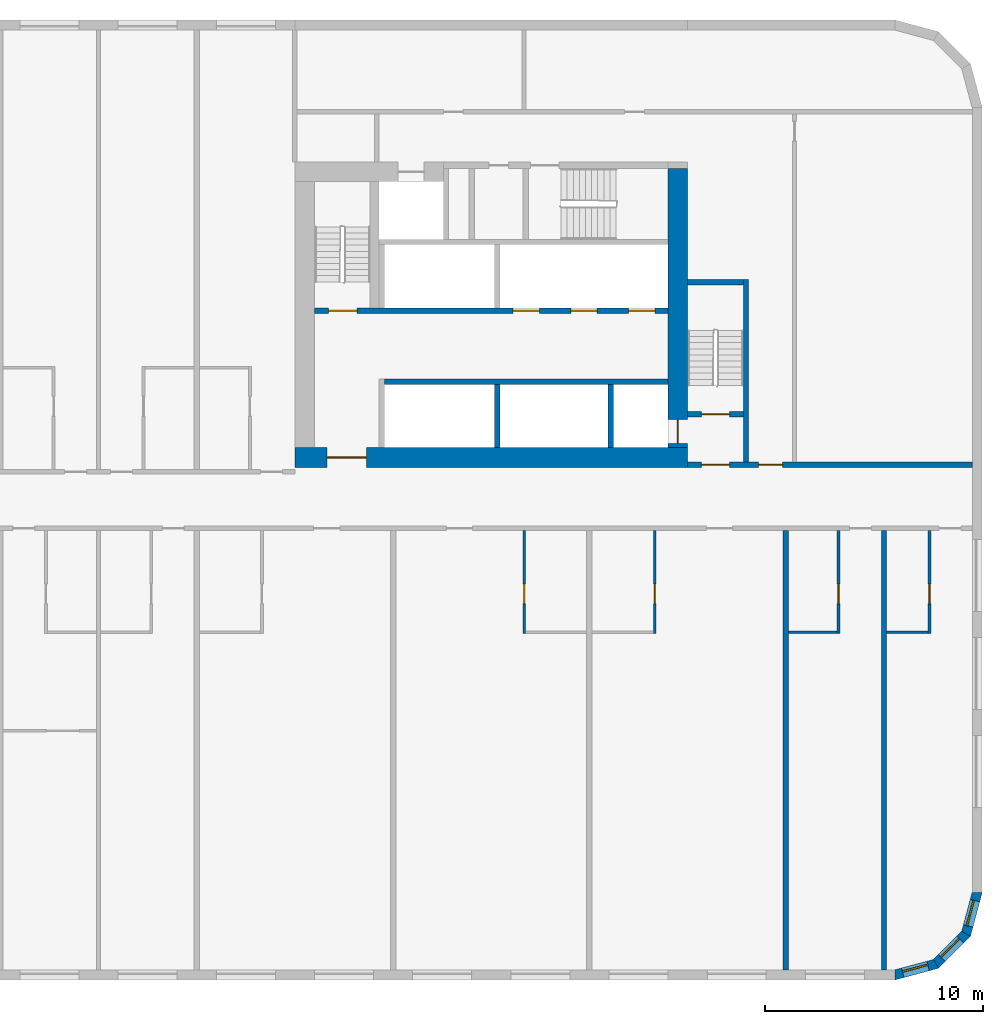
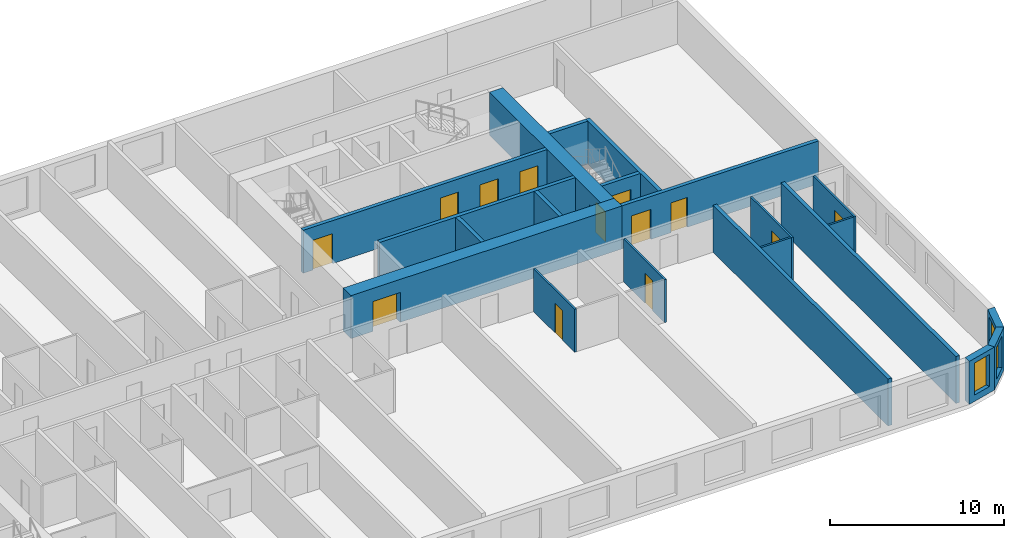
# One storey, part 7 of 12: 21 walls, 13 doors, 3 windows, 16 openings.
"""IFC4 building model written with IfcOpenShell, lengths in metres."""

from ifc_helpers import new_model, si_unit, direction, frame, frame_2d, origin, place, context, subcontext, project, spatial, polyline, rectangle, outline, extrude, material, layer, layer_set, type_object, element, fill, save


model = new_model("IFC4")

# Units and contexts
model_context = context("Model", 3, precision=1e-05, world=origin(), true_north=direction((0.0, 1.0)))
body_context = subcontext(model_context, "Body", "Model", "MODEL_VIEW")
ifc_project = project(units=[si_unit("LENGTHUNIT", "METRE"), si_unit("AREAUNIT", "SQUARE_METRE"), si_unit("VOLUMEUNIT", "CUBIC_METRE"), si_unit("PLANEANGLEUNIT", "RADIAN"), si_unit("MASSUNIT", "GRAM", prefix="KILO")], contexts=[model_context])

# Site, building, storey
site_placement = place(None, origin())
site = spatial("IfcSite", under=ifc_project, at=site_placement, CompositionType="ELEMENT")
building_placement = place(site_placement, origin())
building = spatial("IfcBuilding", under=site, at=building_placement, Name="Kajstack Hotel Tower", CompositionType="ELEMENT")
storey_placement = place(building_placement, frame((0.0, 0.0, 93.0)))
storey = spatial("IfcBuildingStorey", under=building, at=storey_placement, Name="L19", CompositionType="ELEMENT", Elevation=93.0)

# Wall, opening, door
ifc_material_1 = material(Name="Concrete C60/75", Category="concrete")
ifc_layer_1 = layer(ifc_material_1, 0.89990234375)
ifc_layer_set_1 = layer_set([ifc_layer_1], Name="Core wall 900")
wall_type_1 = type_object("IfcWallType", Name="Core wall 900", PredefinedType="SHEAR", material=ifc_layer_set_1)
wall_1_placement = place(storey_placement, frame((13.5, 1.949951171875, 0.0), z_axis=(0.0, 0.0, 1.0), x_axis=(1.0, 0.0, 0.0)))
wall_1 = element("IfcWall", 1, at=wall_1_placement, inside=storey, type_object=wall_type_1, Name="Core wall E RN", PredefinedType="SHEAR", context=body_context, shape_type="SweptSolid", body=[
    extrude(rectangle(XDim=18.0, YDim=0.89990234375, at=frame_2d((9.0, 0.0))), origin(), (0.0, 0.0, 1.0), 3.02001953125),
])
opening_1_placement = place(wall_1_placement, frame((1.47509765625, 0.0, 0.0)))
opening_1 = element("IfcOpeningElement", 2, at=opening_1_placement, cuts=wall_1, Name="Opening 19E06", PredefinedType="OPENING", context=body_context, shape_type="SweptSolid", body=[
    extrude(rectangle(XDim=1.800048828125, YDim=2.10009765625, at=frame_2d((0.89990234375, 1.050048828125))), frame((0.0, 0.4599609375, 0.0), z_axis=(0.0, -1.0, 0.0), x_axis=(1.0, 0.0, 0.0)), (0.0, 0.0, 1.0), 0.919921875),
])
ifc_material_2 = material(Name="Glazed steel frame, fire-rated glass", Category="steel")
door_type_1 = type_object("IfcDoorType", Name="Lobby double door 1800", OperationType="DOUBLE_DOOR_DOUBLE_SWING", PredefinedType="DOOR", material=ifc_material_2)
door_1_placement = place(opening_1_placement, origin())
door_1 = element("IfcDoor", 3, at=door_1_placement, inside=storey, type_object=door_type_1, Name="Door 19E06", OperationType="DOUBLE_DOOR_DOUBLE_SWING", OverallHeight=2.10009765625, OverallWidth=1.800048828125, PredefinedType="DOOR", context=body_context, shape_type="SweptSolid", body=[
    extrude(rectangle(XDim=1.800048828125, YDim=2.10009765625, at=frame_2d((0.89990234375, 1.050048828125))), frame((0.0, 0.02490234375, 0.0), z_axis=(0.0, -1.0, 0.0), x_axis=(1.0, 0.0, 0.0)), (0.0, 0.0, 1.0), 0.050048828125),
])
fill(opening_1, door_1)

wall_2_placement = place(storey_placement, frame((31.050048828125, 2.39990234375, 0.0), z_axis=(0.0, 0.0, 1.0), x_axis=(0.0, 1.0, 0.0)))
wall_2 = element("IfcWall", 4, at=wall_2_placement, inside=storey, type_object=wall_type_1, Name="Core wall E RW", PredefinedType="SHEAR", context=body_context, shape_type="SweptSolid", body=[
    extrude(rectangle(XDim=12.800048828125, YDim=0.89990234375, at=frame_2d((6.39990234375, 0.0))), origin(), (0.0, 0.0, 1.0), 3.02001953125),
])
opening_2_placement = place(wall_2_placement, frame((0.199951171875, 0.0, 0.0)))
opening_2 = element("IfcOpeningElement", 5, at=opening_2_placement, cuts=wall_2, Name="Opening LD-FF2", PredefinedType="OPENING", context=body_context, shape_type="SweptSolid", body=[
    extrude(rectangle(XDim=1.10009765625, YDim=2.10009765625, at=frame_2d((0.550048828125, 1.050048828125))), frame((0.0, 0.4599609375, 0.0), z_axis=(0.0, -1.0, 0.0), x_axis=(1.0, 0.0, 0.0)), (0.0, 0.0, 1.0), 0.919921875),
])
ifc_material_3 = material(Name="Stainless steel", Category="steel")
door_type_2 = type_object("IfcDoorType", Name="Fire-fighting lift landing door 1100", OperationType="SLIDING_TO_LEFT", PredefinedType="DOOR", material=ifc_material_3)
door_2_placement = place(opening_2_placement, origin())
door_2 = element("IfcDoor", 6, at=door_2_placement, inside=storey, type_object=door_type_2, Name="Landing door FF2", OperationType="SLIDING_TO_LEFT", OverallHeight=2.10009765625, OverallWidth=1.10009765625, PredefinedType="DOOR", context=body_context, shape_type="SweptSolid", body=[
    extrude(rectangle(XDim=1.10009765625, YDim=2.10009765625, at=frame_2d((0.550048828125, 1.050048828125))), frame((0.0, 0.02490234375, 0.0), z_axis=(0.0, -1.0, 0.0), x_axis=(1.0, 0.0, 0.0)), (0.0, 0.0, 1.0), 0.050048828125),
])
fill(opening_2, door_2)

# Wall, opening, window
ifc_material_4 = material(Name="Terracotta-faced brick masonry", Category="masonry")
ifc_layer_2 = layer(ifc_material_4, 0.449951171875)
ifc_layer_set_2 = layer_set([ifc_layer_2], Name="EW-TERRA")
wall_type_2 = type_object("IfcWallType", Name="EW-TERRA", PredefinedType="SOLIDWALL", material=ifc_layer_set_2)
wall_3_placement = place(storey_placement, frame((40.941650390625, -21.78271484375, 0.0), z_axis=(0.0, 0.0, 1.0), x_axis=(0.965926999034, 0.25881466832, 0.0)))
wall_3 = element("IfcWall", 7, at=wall_3_placement, inside=storey, type_object=wall_type_2, Name="E-wall-L19-04-00", PredefinedType="SOLIDWALL", context=body_context, shape_type="SweptSolid", body=[
    extrude(outline(polyline([(0.000244140625, -0.22509765625), (2.070556640625, -0.224853515625), (1.9501953125, 0.22509765625), (0.12060546875, 0.22509765625), (0.000244140625, -0.22509765625)])), origin(), (0.0, 0.0, 1.0), 3.02001953125),
])
opening_3_placement = place(wall_3_placement, frame((0.435302734375, 0.0, 0.449951171875)))
opening_3 = element("IfcOpeningElement", 8, at=opening_3_placement, cuts=wall_3, Name="Opening W3", PredefinedType="OPENING", context=body_context, shape_type="SweptSolid", body=[
    extrude(rectangle(XDim=1.199951171875, YDim=2.25, at=frame_2d((0.60009765625, 1.125))), frame((0.0, 0.23486328125, 0.0), z_axis=(0.0, -1.0, 0.0), x_axis=(1.0, 0.0, 0.0)), (0.0, 0.0, 1.0), 0.469970703125),
])
ifc_material_5 = material(Name="Timber-aluminium window, triple glazed", Category="wood")
window_type = type_object("IfcWindowType", Name="WG3", PartitioningType="SINGLE_PANEL", PredefinedType="WINDOW", material=ifc_material_5)
window_1_placement = place(opening_3_placement, origin())
window_1 = element("IfcWindow", 9, at=window_1_placement, inside=storey, type_object=window_type, Name="Window W3 L19-04", OverallHeight=2.25, OverallWidth=1.199951171875, PartitioningType="SINGLE_PANEL", PredefinedType="WINDOW", context=body_context, shape_type="SweptSolid", body=[
    extrude(rectangle(XDim=1.199951171875, YDim=2.25, at=frame_2d((0.60009765625, 1.125))), frame((0.0, 0.090087890625, 0.0), z_axis=(0.0, -1.0, 0.0), x_axis=(1.0, 0.0, 0.0)), (0.0, 0.0, 1.0), 0.06005859375),
])
fill(opening_3, window_1)

wall_4_placement = place(storey_placement, frame((42.8408203125, -21.304931640625, 0.0), z_axis=(0.0, 0.0, 1.0), x_axis=(0.707106781187, 0.707106781187, 0.0)))
wall_4 = element("IfcWall", 10, at=wall_4_placement, inside=storey, type_object=wall_type_2, Name="E-wall-L19-05-00", PredefinedType="SOLIDWALL", context=body_context, shape_type="SweptSolid", body=[
    extrude(outline(polyline([(0.0, -0.22509765625), (2.070556640625, -0.22509765625), (1.949951171875, 0.224853515625), (0.12060546875, 0.224853515625), (0.0, -0.22509765625)])), origin(), (0.0, 0.0, 1.0), 3.02001953125),
])
opening_4_placement = place(wall_4_placement, frame((0.435302734375, 0.0, 0.449951171875)))
opening_4 = element("IfcOpeningElement", 11, at=opening_4_placement, cuts=wall_4, Name="Opening W3", PredefinedType="OPENING", context=body_context, shape_type="SweptSolid", body=[
    extrude(rectangle(XDim=1.199951171875, YDim=2.25, at=frame_2d((0.60009765625, 1.125))), frame((0.0, 0.23486328125, 0.0), z_axis=(0.0, -1.0, 0.0), x_axis=(1.0, 0.0, 0.0)), (0.0, 0.0, 1.0), 0.469970703125),
])
window_2_placement = place(opening_4_placement, origin())
window_2 = element("IfcWindow", 12, at=window_2_placement, inside=storey, type_object=window_type, Name="Window W3 L19-05", OverallHeight=2.25, OverallWidth=1.199951171875, PartitioningType="SINGLE_PANEL", PredefinedType="WINDOW", context=body_context, shape_type="SweptSolid", body=[
    extrude(rectangle(XDim=1.199951171875, YDim=2.25, at=frame_2d((0.60009765625, 1.125))), frame((0.0, 0.090087890625, 0.0), z_axis=(0.0, -1.0, 0.0), x_axis=(1.0, 0.0, 0.0)), (0.0, 0.0, 1.0), 0.06005859375),
])
fill(opening_4, window_2)

wall_5_placement = place(storey_placement, frame((44.246826171875, -19.941650390625, 0.0), z_axis=(0.0, 0.0, 1.0), x_axis=(0.25881466832, 0.965926999034, 0.0)))
wall_5 = element("IfcWall", 13, at=wall_5_placement, inside=storey, type_object=wall_type_2, Name="E-wall-L19-06-00", PredefinedType="SOLIDWALL", context=body_context, shape_type="SweptSolid", body=[
    extrude(outline(polyline([(-0.000244140625, -0.224853515625), (2.0703125, -0.22509765625), (1.949951171875, 0.22509765625), (0.120361328125, 0.22509765625), (-0.000244140625, -0.224853515625)])), origin(), (0.0, 0.0, 1.0), 3.02001953125),
])
opening_5_placement = place(wall_5_placement, frame((0.435302734375, 0.0, 0.449951171875)))
opening_5 = element("IfcOpeningElement", 14, at=opening_5_placement, cuts=wall_5, Name="Opening W3", PredefinedType="OPENING", context=body_context, shape_type="SweptSolid", body=[
    extrude(rectangle(XDim=1.199951171875, YDim=2.25, at=frame_2d((0.60009765625, 1.125))), frame((0.0, 0.23486328125, 0.0), z_axis=(0.0, -1.0, 0.0), x_axis=(1.0, 0.0, 0.0)), (0.0, 0.0, 1.0), 0.469970703125),
])
window_3_placement = place(opening_5_placement, origin())
window_3 = element("IfcWindow", 15, at=window_3_placement, inside=storey, type_object=window_type, Name="Window W3 L19-06", OverallHeight=2.25, OverallWidth=1.199951171875, PartitioningType="SINGLE_PANEL", PredefinedType="WINDOW", context=body_context, shape_type="SweptSolid", body=[
    extrude(rectangle(XDim=1.199951171875, YDim=2.25, at=frame_2d((0.60009765625, 1.125))), frame((0.0, 0.090087890625, 0.0), z_axis=(0.0, -1.0, 0.0), x_axis=(1.0, 0.0, 0.0)), (0.0, 0.0, 1.0), 0.06005859375),
])
fill(opening_5, window_3)

# Wall, opening, door
ifc_material_6 = material(Name="Gypsum board and tiled backer on steel studs", Category="steel")
ifc_layer_3 = layer(ifc_material_6, 0.125)
ifc_layer_set_3 = layer_set([ifc_layer_3], Name="En-suite wall 125")
wall_type_3 = type_object("IfcWallType", Name="En-suite wall 125", PredefinedType="PARTITIONING", material=ifc_layer_set_3)
wall_6_placement = place(storey_placement, frame((24.011962890625, -6.125, 0.0), z_axis=(0.0, 0.0, 1.0), x_axis=(0.0, 1.0, 0.0)))
wall_6 = element("IfcWall", 16, at=wall_6_placement, inside=storey, type_object=wall_type_3, Name="G-wall-L19-044", PredefinedType="PARTITIONING", context=body_context, shape_type="SweptSolid", body=[
    extrude(rectangle(XDim=4.72509765625, YDim=0.125, at=frame_2d((2.362548828125, 0.0))), origin(), (0.0, 0.0, 1.0), 3.02001953125),
])
opening_6_placement = place(wall_6_placement, frame((1.375, 0.0, 0.0)))
opening_6 = element("IfcOpeningElement", 17, at=opening_6_placement, cuts=wall_6, Name="Opening 19037", PredefinedType="OPENING", context=body_context, shape_type="SweptSolid", body=[
    extrude(rectangle(XDim=0.89990234375, YDim=2.10009765625, at=frame_2d((0.449951171875, 1.050048828125))), frame((0.0, 0.072509765625, 0.0), z_axis=(0.0, -1.0, 0.0), x_axis=(1.0, 0.0, 0.0)), (0.0, 0.0, 1.0), 0.14501953125),
])
ifc_material_7 = material(Name="Painted timber door leaf", Category="wood")
door_type_3 = type_object("IfcDoorType", Name="Room door 900", OperationType="SINGLE_SWING_LEFT", PredefinedType="DOOR", material=ifc_material_7)
door_3_placement = place(opening_6_placement, origin())
door_3 = element("IfcDoor", 18, at=door_3_placement, inside=storey, type_object=door_type_3, Name="G-door-L19-37", OperationType="SINGLE_SWING_LEFT", OverallHeight=2.10009765625, OverallWidth=0.89990234375, PredefinedType="DOOR", context=body_context, shape_type="SweptSolid", body=[
    extrude(rectangle(XDim=0.89990234375, YDim=2.10009765625, at=frame_2d((0.449951171875, 1.050048828125))), frame((0.0, 0.02490234375, 0.0), z_axis=(0.0, -1.0, 0.0), x_axis=(1.0, 0.0, 0.0)), (0.0, 0.0, 1.0), 0.050048828125),
])
fill(opening_6, door_3)

wall_7_placement = place(storey_placement, frame((29.988037109375, -6.125, 0.0), z_axis=(0.0, 0.0, 1.0), x_axis=(0.0, 1.0, 0.0)))
wall_7 = element("IfcWall", 19, at=wall_7_placement, inside=storey, type_object=wall_type_3, Name="G-wall-L19-046", PredefinedType="PARTITIONING", context=body_context, shape_type="SweptSolid", body=[
    extrude(rectangle(XDim=4.72509765625, YDim=0.125, at=frame_2d((2.362548828125, 0.0))), origin(), (0.0, 0.0, 1.0), 3.02001953125),
])
opening_7_placement = place(wall_7_placement, frame((1.375, 0.0, 0.0)))
opening_7 = element("IfcOpeningElement", 20, at=opening_7_placement, cuts=wall_7, Name="Opening 19039", PredefinedType="OPENING", context=body_context, shape_type="SweptSolid", body=[
    extrude(rectangle(XDim=0.89990234375, YDim=2.10009765625, at=frame_2d((0.449951171875, 1.050048828125))), frame((0.0, 0.072509765625, 0.0), z_axis=(0.0, -1.0, 0.0), x_axis=(1.0, 0.0, 0.0)), (0.0, 0.0, 1.0), 0.14501953125),
])
door_4_placement = place(opening_7_placement, origin())
door_4 = element("IfcDoor", 21, at=door_4_placement, inside=storey, type_object=door_type_3, Name="G-door-L19-39", OperationType="SINGLE_SWING_RIGHT", OverallHeight=2.10009765625, OverallWidth=0.89990234375, PredefinedType="DOOR", context=body_context, shape_type="SweptSolid", body=[
    extrude(rectangle(XDim=0.89990234375, YDim=2.10009765625, at=frame_2d((0.449951171875, 1.050048828125))), frame((0.0, 0.02490234375, 0.0), z_axis=(0.0, -1.0, 0.0), x_axis=(1.0, 0.0, 0.0)), (0.0, 0.0, 1.0), 0.050048828125),
])
fill(opening_7, door_4)

wall_8_placement = place(storey_placement, frame((38.4130859375, -6.125, 0.0), z_axis=(0.0, 0.0, 1.0), x_axis=(0.0, 1.0, 0.0)))
wall_8 = element("IfcWall", 22, at=wall_8_placement, inside=storey, type_object=wall_type_3, Name="G-wall-L19-048", PredefinedType="PARTITIONING", context=body_context, shape_type="SweptSolid", body=[
    extrude(rectangle(XDim=4.72509765625, YDim=0.125, at=frame_2d((2.362548828125, 0.0))), origin(), (0.0, 0.0, 1.0), 3.02001953125),
])
opening_8_placement = place(wall_8_placement, frame((1.375, 0.0, 0.0)))
opening_8 = element("IfcOpeningElement", 23, at=opening_8_placement, cuts=wall_8, Name="Opening 19041", PredefinedType="OPENING", context=body_context, shape_type="SweptSolid", body=[
    extrude(rectangle(XDim=0.89990234375, YDim=2.10009765625, at=frame_2d((0.449951171875, 1.050048828125))), frame((0.0, 0.072509765625, 0.0), z_axis=(0.0, -1.0, 0.0), x_axis=(1.0, 0.0, 0.0)), (0.0, 0.0, 1.0), 0.14501953125),
])
door_5_placement = place(opening_8_placement, origin())
door_5 = element("IfcDoor", 24, at=door_5_placement, inside=storey, type_object=door_type_3, Name="G-door-L19-41", OperationType="SINGLE_SWING_LEFT", OverallHeight=2.10009765625, OverallWidth=0.89990234375, PredefinedType="DOOR", context=body_context, shape_type="SweptSolid", body=[
    extrude(rectangle(XDim=0.89990234375, YDim=2.10009765625, at=frame_2d((0.449951171875, 1.050048828125))), frame((0.0, 0.02490234375, 0.0), z_axis=(0.0, -1.0, 0.0), x_axis=(1.0, 0.0, 0.0)), (0.0, 0.0, 1.0), 0.050048828125),
])
fill(opening_8, door_5)

# Wall
wall_9_placement = place(storey_placement, frame((36.125, -6.06201171875, 0.0), z_axis=(0.0, 0.0, 1.0), x_axis=(1.0, 0.0, 0.0)))
element("IfcWall", 25, at=wall_9_placement, inside=storey, type_object=wall_type_3, Name="G-wall-L19-049", PredefinedType="PARTITIONING", context=body_context, shape_type="SweptSolid", body=[
    extrude(rectangle(XDim=2.22509765625, YDim=0.125, at=frame_2d((1.112548828125, 0.0))), origin(), (0.0, 0.0, 1.0), 3.02001953125),
])

# Wall, opening, door
wall_10_placement = place(storey_placement, frame((42.5869140625, -6.125, 0.0), z_axis=(0.0, 0.0, 1.0), x_axis=(0.0, 1.0, 0.0)))
wall_10 = element("IfcWall", 26, at=wall_10_placement, inside=storey, type_object=wall_type_3, Name="G-wall-L19-050", PredefinedType="PARTITIONING", context=body_context, shape_type="SweptSolid", body=[
    extrude(rectangle(XDim=4.72509765625, YDim=0.125, at=frame_2d((2.362548828125, 0.0))), origin(), (0.0, 0.0, 1.0), 3.02001953125),
])
opening_9_placement = place(wall_10_placement, frame((1.375, 0.0, 0.0)))
opening_9 = element("IfcOpeningElement", 27, at=opening_9_placement, cuts=wall_10, Name="Opening 19043", PredefinedType="OPENING", context=body_context, shape_type="SweptSolid", body=[
    extrude(rectangle(XDim=0.89990234375, YDim=2.10009765625, at=frame_2d((0.449951171875, 1.050048828125))), frame((0.0, 0.072509765625, 0.0), z_axis=(0.0, -1.0, 0.0), x_axis=(1.0, 0.0, 0.0)), (0.0, 0.0, 1.0), 0.14501953125),
])
door_6_placement = place(opening_9_placement, origin())
door_6 = element("IfcDoor", 28, at=door_6_placement, inside=storey, type_object=door_type_3, Name="G-door-L19-43", OperationType="SINGLE_SWING_LEFT", OverallHeight=2.10009765625, OverallWidth=0.89990234375, PredefinedType="DOOR", context=body_context, shape_type="SweptSolid", body=[
    extrude(rectangle(XDim=0.89990234375, YDim=2.10009765625, at=frame_2d((0.449951171875, 1.050048828125))), frame((0.0, 0.02490234375, 0.0), z_axis=(0.0, -1.0, 0.0), x_axis=(1.0, 0.0, 0.0)), (0.0, 0.0, 1.0), 0.050048828125),
])
fill(opening_9, door_6)

# Walls
wall_11_placement = place(storey_placement, frame((40.625, -6.06201171875, 0.0), z_axis=(0.0, 0.0, 1.0), x_axis=(1.0, 0.0, 0.0)))
element("IfcWall", 29, at=wall_11_placement, inside=storey, type_object=wall_type_3, Name="G-wall-L19-051", PredefinedType="PARTITIONING", context=body_context, shape_type="SweptSolid", body=[
    extrude(rectangle(XDim=1.89990234375, YDim=0.125, at=frame_2d((0.949951171875, 0.0))), origin(), (0.0, 0.0, 1.0), 3.02001953125),
])
ifc_material_8 = material(Name="Concrete C50/60", Category="concrete")
ifc_layer_4 = layer(ifc_material_8, 0.300048828125)
ifc_layer_set_4 = layer_set([ifc_layer_4], Name="Hoistway divider wall 300")
wall_type_4 = type_object("IfcWallType", Name="Hoistway divider wall 300", PredefinedType="SHEAR", material=ifc_layer_set_4)
wall_12_placement = place(storey_placement, frame((22.77490234375, 2.39990234375, 0.0), z_axis=(0.0, 0.0, 1.0), x_axis=(0.0, 1.0, 0.0)))
element("IfcWall", 30, at=wall_12_placement, inside=storey, type_object=wall_type_4, Name="Core wall E AP2", PredefinedType="SHEAR", context=body_context, shape_type="SweptSolid", body=[
    extrude(rectangle(XDim=2.900146484375, YDim=0.25, at=frame_2d((1.4501953125, 0.0))), origin(), (0.0, 0.0, 1.0), 3.02001953125),
])
ifc_layer_5 = layer(ifc_material_1, 0.25)
ifc_layer_set_5 = layer_set([ifc_layer_5], Name="RC cross wall 250 C60/75")
wall_type_5 = type_object("IfcWallType", Name="RC cross wall 250 C60/75", PredefinedType="SHEAR", material=ifc_layer_set_5)
for number, where, z_axis, x_axis, name in (
    (31, (36.0, -21.5400390625, 0.0), (0.0, 0.0, 1.0), (0.0, 1.0, 0.0), "S-wall-L19-13"),
    (32, (40.5, -21.5400390625, 0.0), (0.0, 0.0, 1.0), (0.0, 1.0, 0.0), "S-wall-L19-14"),
):
    element("IfcWall", number, at=place(storey_placement, frame(where, z_axis=z_axis, x_axis=x_axis)), inside=storey, type_object=wall_type_5, Name=name, PredefinedType="SHEAR", context=body_context, shape_type="SweptSolid", body=[
        extrude(rectangle(XDim=20.14013671875, YDim=0.25, at=frame_2d((10.070068359375, 0.0))), origin(), (0.0, 0.0, 1.0), 3.300048828125),
    ])

# Wall, openings, doors
ifc_material_9 = material(Name="Gypsum board on steel studs, mineral wool", Category="steel")
ifc_layer_6 = layer(ifc_material_9, 0.199951171875)
ifc_layer_set_6 = layer_set([ifc_layer_6], Name="Service partition 200")
wall_type_6 = type_object("IfcWallType", Name="Service partition 200", PredefinedType="PARTITIONING", material=ifc_layer_set_6)
wall_13_placement = place(storey_placement, frame((31.5, 1.625, 0.0), z_axis=(0.0, 0.0, 1.0), x_axis=(1.0, 0.0, 0.0)))
wall_13 = element("IfcWall", 33, at=wall_13_placement, inside=storey, type_object=wall_type_6, Name="Partition E SN", PredefinedType="PARTITIONING", context=body_context, shape_type="SweptSolid", body=[
    extrude(rectangle(XDim=13.050048828125, YDim=0.25, at=frame_2d((6.52490234375, 0.0))), origin(), (0.0, 0.0, 1.0), 3.02001953125),
])
opening_10_placement = place(wall_13_placement, frame((0.625, 0.0, 0.0)))
opening_10 = element("IfcOpeningElement", 34, at=opening_10_placement, cuts=wall_13, Name="Opening 19E07", PredefinedType="OPENING", context=body_context, shape_type="SweptSolid", body=[
    extrude(rectangle(XDim=1.300048828125, YDim=2.10009765625, at=frame_2d((0.64990234375, 1.050048828125))), frame((0.0, 0.135009765625, 0.0), z_axis=(0.0, -1.0, 0.0), x_axis=(1.0, 0.0, 0.0)), (0.0, 0.0, 1.0), 0.27001953125),
])
opening_11_placement = place(wall_13_placement, frame((3.25, 0.0, 0.0)))
opening_11 = element("IfcOpeningElement", 35, at=opening_11_placement, cuts=wall_13, Name="Opening 19E09", PredefinedType="OPENING", context=body_context, shape_type="SweptSolid", body=[
    extrude(rectangle(XDim=1.10009765625, YDim=2.10009765625, at=frame_2d((0.550048828125, 1.050048828125))), frame((0.0, 0.135009765625, 0.0), z_axis=(0.0, -1.0, 0.0), x_axis=(1.0, 0.0, 0.0)), (0.0, 0.0, 1.0), 0.27001953125),
])
ifc_material_10 = material(Name="Steel leaf, fire-rated", Category="steel")
door_type_4 = type_object("IfcDoorType", Name="Fire lobby door 1300", OperationType="SINGLE_SWING_LEFT", PredefinedType="DOOR", material=ifc_material_10)
door_7_placement = place(opening_10_placement, origin())
door_7 = element("IfcDoor", 36, at=door_7_placement, inside=storey, type_object=door_type_4, Name="Door 19E07", OperationType="SINGLE_SWING_LEFT", OverallHeight=2.10009765625, OverallWidth=1.300048828125, PredefinedType="DOOR", context=body_context, shape_type="SweptSolid", body=[
    extrude(rectangle(XDim=1.300048828125, YDim=2.10009765625, at=frame_2d((0.64990234375, 1.050048828125))), frame((0.0, 0.02490234375, 0.0), z_axis=(0.0, -1.0, 0.0), x_axis=(1.0, 0.0, 0.0)), (0.0, 0.0, 1.0), 0.050048828125),
])
fill(opening_10, door_7)
ifc_material_11 = material(Name="Timber leaf, fire-rated", Category="wood")
door_type_5 = type_object("IfcDoorType", Name="Service corridor door 1100", OperationType="SINGLE_SWING_LEFT", PredefinedType="DOOR", material=ifc_material_11)
door_8_placement = place(opening_11_placement, origin())
door_8 = element("IfcDoor", 37, at=door_8_placement, inside=storey, type_object=door_type_5, Name="Door 19E09", OperationType="SINGLE_SWING_LEFT", OverallHeight=2.10009765625, OverallWidth=1.10009765625, PredefinedType="DOOR", context=body_context, shape_type="SweptSolid", body=[
    extrude(rectangle(XDim=1.10009765625, YDim=2.10009765625, at=frame_2d((0.550048828125, 1.050048828125))), frame((0.0, 0.02490234375, 0.0), z_axis=(0.0, -1.0, 0.0), x_axis=(1.0, 0.0, 0.0)), (0.0, 0.0, 1.0), 0.050048828125),
])
fill(opening_11, door_8)

# Walls
ifc_layer_7 = layer(ifc_material_8, 0.25)
ifc_layer_set_7 = layer_set([ifc_layer_7], Name="Shaft wall 250")
wall_type_7 = type_object("IfcWallType", Name="Shaft wall 250", PredefinedType="SHEAR", material=ifc_layer_set_7)
wall_14_placement = place(storey_placement, frame((17.60009765625, 5.425048828125, 0.0), z_axis=(0.0, 0.0, 1.0), x_axis=(1.0, 0.0, 0.0)))
element("IfcWall", 38, at=wall_14_placement, inside=storey, type_object=wall_type_7, Name="Core wall E FA", PredefinedType="SHEAR", context=body_context, shape_type="SweptSolid", body=[
    extrude(rectangle(XDim=13.0, YDim=0.25, at=frame_2d((6.5, 0.0))), origin(), (0.0, 0.0, 1.0), 3.02001953125),
])
wall_15_placement = place(storey_placement, frame((27.97509765625, 2.39990234375, 0.0), z_axis=(0.0, 0.0, 1.0), x_axis=(0.0, 1.0, 0.0)))
element("IfcWall", 39, at=wall_15_placement, inside=storey, type_object=wall_type_7, Name="Core wall E AP0", PredefinedType="SHEAR", context=body_context, shape_type="SweptSolid", body=[
    extrude(rectangle(XDim=2.900146484375, YDim=0.25, at=frame_2d((1.4501953125, 0.0))), origin(), (0.0, 0.0, 1.0), 3.02001953125),
])

# Wall, openings, doors
wall_16_placement = place(storey_placement, frame((14.39990234375, 8.675048828125, 0.0), z_axis=(0.0, 0.0, 1.0), x_axis=(1.0, 0.0, 0.0)))
wall_16 = element("IfcWall", 40, at=wall_16_placement, inside=storey, type_object=wall_type_7, Name="Core wall E FB", PredefinedType="SHEAR", context=body_context, shape_type="SweptSolid", body=[
    extrude(rectangle(XDim=16.2001953125, YDim=0.25, at=frame_2d((8.10009765625, 0.0))), origin(), (0.0, 0.0, 1.0), 3.02001953125),
])
opening_12_placement = place(wall_16_placement, frame((14.39990234375, 0.0, 0.0)))
opening_12 = element("IfcOpeningElement", 41, at=opening_12_placement, cuts=wall_16, Name="Opening LD-LR4", PredefinedType="OPENING", context=body_context, shape_type="SweptSolid", body=[
    extrude(rectangle(XDim=1.199951171875, YDim=2.10009765625, at=frame_2d((0.60009765625, 1.050048828125))), frame((0.0, 0.135009765625, 0.0), z_axis=(0.0, -1.0, 0.0), x_axis=(1.0, 0.0, 0.0)), (0.0, 0.0, 1.0), 0.27001953125),
])
opening_13_placement = place(wall_16_placement, frame((11.75, 0.0, 0.0)))
opening_13 = element("IfcOpeningElement", 42, at=opening_13_placement, cuts=wall_16, Name="Opening LD-LR5", PredefinedType="OPENING", context=body_context, shape_type="SweptSolid", body=[
    extrude(rectangle(XDim=1.199951171875, YDim=2.10009765625, at=frame_2d((0.60009765625, 1.050048828125))), frame((0.0, 0.135009765625, 0.0), z_axis=(0.0, -1.0, 0.0), x_axis=(1.0, 0.0, 0.0)), (0.0, 0.0, 1.0), 0.27001953125),
])
opening_14_placement = place(wall_16_placement, frame((9.10009765625, 0.0, 0.0)))
opening_14 = element("IfcOpeningElement", 43, at=opening_14_placement, cuts=wall_16, Name="Opening LD-LR6", PredefinedType="OPENING", context=body_context, shape_type="SweptSolid", body=[
    extrude(rectangle(XDim=1.199951171875, YDim=2.10009765625, at=frame_2d((0.60009765625, 1.050048828125))), frame((0.0, 0.135009765625, 0.0), z_axis=(0.0, -1.0, 0.0), x_axis=(1.0, 0.0, 0.0)), (0.0, 0.0, 1.0), 0.27001953125),
])
opening_15_placement = place(wall_16_placement, frame((0.64990234375, 0.0, 0.0)))
opening_15 = element("IfcOpeningElement", 44, at=opening_15_placement, cuts=wall_16, Name="Opening 19E10", PredefinedType="OPENING", context=body_context, shape_type="SweptSolid", body=[
    extrude(rectangle(XDim=1.300048828125, YDim=2.10009765625, at=frame_2d((0.64990234375, 1.050048828125))), frame((0.0, 0.135009765625, 0.0), z_axis=(0.0, -1.0, 0.0), x_axis=(1.0, 0.0, 0.0)), (0.0, 0.0, 1.0), 0.27001953125),
])
door_type_6 = type_object("IfcDoorType", Name="Lift landing door 1200", OperationType="SLIDING_TO_LEFT", PredefinedType="DOOR", material=ifc_material_3)
door_9_placement = place(opening_12_placement, origin())
door_9 = element("IfcDoor", 45, at=door_9_placement, inside=storey, type_object=door_type_6, Name="Landing door LR4", OperationType="SLIDING_TO_LEFT", OverallHeight=2.10009765625, OverallWidth=1.199951171875, PredefinedType="DOOR", context=body_context, shape_type="SweptSolid", body=[
    extrude(rectangle(XDim=1.199951171875, YDim=2.10009765625, at=frame_2d((0.60009765625, 1.050048828125))), frame((0.0, 0.02490234375, 0.0), z_axis=(0.0, -1.0, 0.0), x_axis=(1.0, 0.0, 0.0)), (0.0, 0.0, 1.0), 0.050048828125),
])
fill(opening_12, door_9)
door_10_placement = place(opening_13_placement, origin())
door_10 = element("IfcDoor", 46, at=door_10_placement, inside=storey, type_object=door_type_6, Name="Landing door LR5", OperationType="SLIDING_TO_RIGHT", OverallHeight=2.10009765625, OverallWidth=1.199951171875, PredefinedType="DOOR", context=body_context, shape_type="SweptSolid", body=[
    extrude(rectangle(XDim=1.199951171875, YDim=2.10009765625, at=frame_2d((0.60009765625, 1.050048828125))), frame((0.0, 0.02490234375, 0.0), z_axis=(0.0, -1.0, 0.0), x_axis=(1.0, 0.0, 0.0)), (0.0, 0.0, 1.0), 0.050048828125),
])
fill(opening_13, door_10)
door_11_placement = place(opening_14_placement, origin())
door_11 = element("IfcDoor", 47, at=door_11_placement, inside=storey, type_object=door_type_6, Name="Landing door LR6", OperationType="SLIDING_TO_RIGHT", OverallHeight=2.10009765625, OverallWidth=1.199951171875, PredefinedType="DOOR", context=body_context, shape_type="SweptSolid", body=[
    extrude(rectangle(XDim=1.199951171875, YDim=2.10009765625, at=frame_2d((0.60009765625, 1.050048828125))), frame((0.0, 0.02490234375, 0.0), z_axis=(0.0, -1.0, 0.0), x_axis=(1.0, 0.0, 0.0)), (0.0, 0.0, 1.0), 0.050048828125),
])
fill(opening_14, door_11)
door_type_7 = type_object("IfcDoorType", Name="Stair door 1300", OperationType="SINGLE_SWING_LEFT", PredefinedType="DOOR", material=ifc_material_10)
door_12_placement = place(opening_15_placement, origin())
door_12 = element("IfcDoor", 48, at=door_12_placement, inside=storey, type_object=door_type_7, Name="Door 19E10", OperationType="SINGLE_SWING_LEFT", OverallHeight=2.10009765625, OverallWidth=1.300048828125, PredefinedType="DOOR", context=body_context, shape_type="SweptSolid", body=[
    extrude(rectangle(XDim=1.300048828125, YDim=2.10009765625, at=frame_2d((0.64990234375, 1.050048828125))), frame((0.0, 0.02490234375, 0.0), z_axis=(0.0, -1.0, 0.0), x_axis=(1.0, 0.0, 0.0)), (0.0, 0.0, 1.0), 0.050048828125),
])
fill(opening_15, door_12)

# Wall, opening, door
ifc_material_12 = material(Name="Concrete C40/50", Category="concrete")
ifc_layer_8 = layer(ifc_material_12, 0.25)
ifc_layer_set_8 = layer_set([ifc_layer_8], Name="Stair enclosure wall 250")
wall_type_8 = type_object("IfcWallType", Name="Stair enclosure wall 250", PredefinedType="SHEAR", material=ifc_layer_set_8)
wall_17_placement = place(storey_placement, frame((31.5, 3.925048828125, 0.0), z_axis=(0.0, 0.0, 1.0), x_axis=(1.0, 0.0, 0.0)))
wall_17 = element("IfcWall", 49, at=wall_17_placement, inside=storey, type_object=wall_type_8, Name="Core wall E W1N", PredefinedType="SHEAR", context=body_context, shape_type="SweptSolid", body=[
    extrude(rectangle(XDim=2.550048828125, YDim=0.25, at=frame_2d((1.27490234375, 0.0))), origin(), (0.0, 0.0, 1.0), 3.02001953125),
])
opening_16_placement = place(wall_17_placement, frame((0.625, 0.0, 0.0)))
opening_16 = element("IfcOpeningElement", 50, at=opening_16_placement, cuts=wall_17, Name="Opening 19E08", PredefinedType="OPENING", context=body_context, shape_type="SweptSolid", body=[
    extrude(rectangle(XDim=1.300048828125, YDim=2.10009765625, at=frame_2d((0.64990234375, 1.050048828125))), frame((0.0, 0.135009765625, 0.0), z_axis=(0.0, -1.0, 0.0), x_axis=(1.0, 0.0, 0.0)), (0.0, 0.0, 1.0), 0.27001953125),
])
door_13_placement = place(opening_16_placement, origin())
door_13 = element("IfcDoor", 51, at=door_13_placement, inside=storey, type_object=door_type_7, Name="Door 19E08", OperationType="SINGLE_SWING_LEFT", OverallHeight=2.10009765625, OverallWidth=1.300048828125, PredefinedType="DOOR", context=body_context, shape_type="SweptSolid", body=[
    extrude(rectangle(XDim=1.300048828125, YDim=2.10009765625, at=frame_2d((0.64990234375, 1.050048828125))), frame((0.0, 0.02490234375, 0.0), z_axis=(0.0, -1.0, 0.0), x_axis=(1.0, 0.0, 0.0)), (0.0, 0.0, 1.0), 0.050048828125),
])
fill(opening_16, door_13)

# Walls
wall_18_placement = place(storey_placement, frame((34.175048828125, 1.75, 0.0), z_axis=(0.0, 0.0, 1.0), x_axis=(0.0, 1.0, 0.0)))
element("IfcWall", 52, at=wall_18_placement, inside=storey, type_object=wall_type_8, Name="Core wall E W1W", PredefinedType="SHEAR", context=body_context, shape_type="SweptSolid", body=[
    extrude(rectangle(XDim=8.35009765625, YDim=0.25, at=frame_2d((4.175048828125, 0.0))), origin(), (0.0, 0.0, 1.0), 3.02001953125),
])
wall_19_placement = place(storey_placement, frame((31.5, 9.97509765625, 0.0), z_axis=(0.0, 0.0, 1.0), x_axis=(1.0, 0.0, 0.0)))
element("IfcWall", 53, at=wall_19_placement, inside=storey, type_object=wall_type_8, Name="Core wall E W1S", PredefinedType="SHEAR", context=body_context, shape_type="SweptSolid", body=[
    extrude(rectangle(XDim=2.550048828125, YDim=0.25, at=frame_2d((1.27490234375, 0.0))), origin(), (0.0, 0.0, 1.0), 3.02001953125),
])

save(model, "model.ifc")
